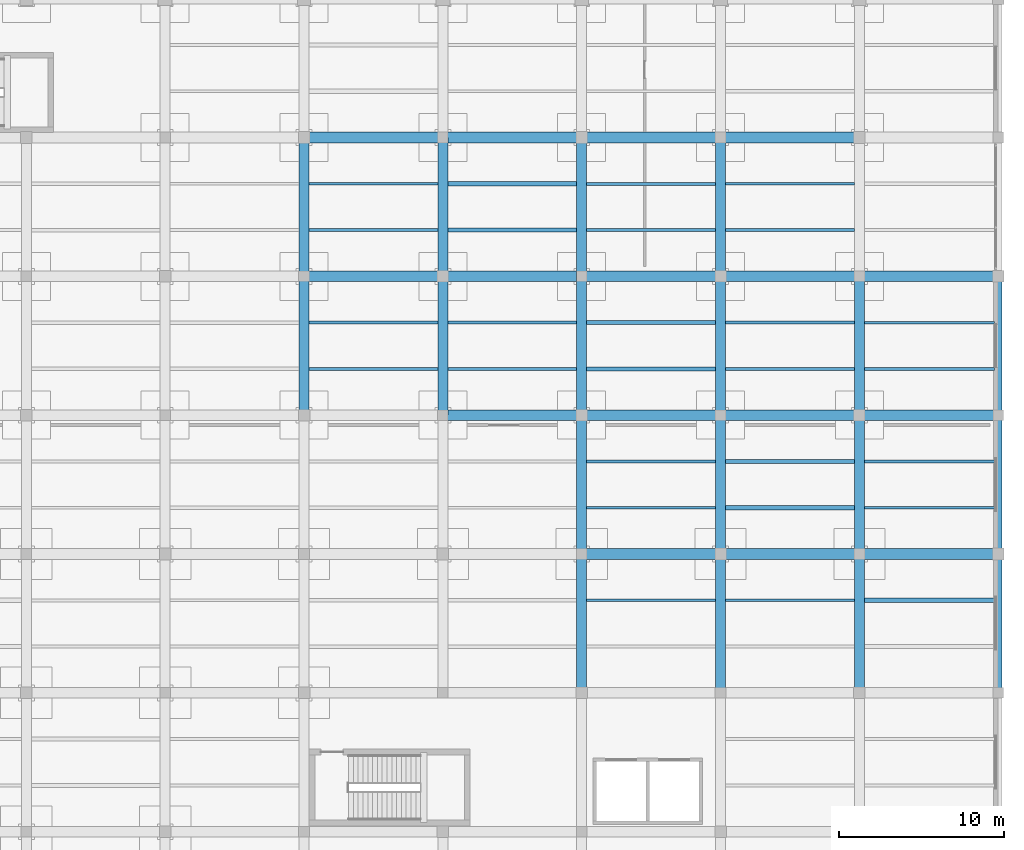
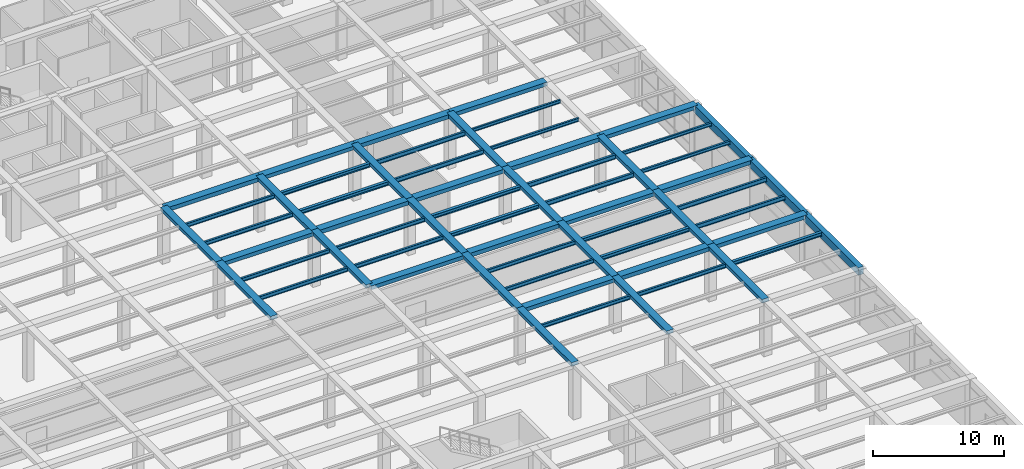
# One storey, part 53 of 95: 61 beams.
"""IFC4 building model written with IfcOpenShell, lengths in metres."""

from ifc_helpers import new_model, si_unit, direction, frame, origin, origin_2d, place, context, subcontext, project, spatial, rectangle, i_section, extrude, material, material_profile, profile_set, type_object, element, save


model = new_model("IFC4")

# Units and contexts
model_context = context("Model", 3, precision=1e-05, world=origin(), true_north=direction((0.0, 1.0)))
body_context = subcontext(model_context, "Body", "Model", "MODEL_VIEW")
ifc_project = project(units=[si_unit("LENGTHUNIT", "METRE"), si_unit("AREAUNIT", "SQUARE_METRE"), si_unit("VOLUMEUNIT", "CUBIC_METRE"), si_unit("PLANEANGLEUNIT", "RADIAN"), si_unit("MASSUNIT", "GRAM", prefix="KILO")], contexts=[model_context])

# Site, building, storey
site_placement = place(None, origin())
site = spatial("IfcSite", under=ifc_project, at=site_placement, CompositionType="ELEMENT")
building_placement = place(site_placement, origin())
building = spatial("IfcBuilding", under=site, at=building_placement, Name="Almacenes y Pasaje Nevantli", CompositionType="ELEMENT")
storey_placement = place(building_placement, frame((0.0, 0.0, 11.39990234375)))
storey = spatial("IfcBuildingStorey", under=building, at=storey_placement, Name="L03", CompositionType="ELEMENT", Elevation=11.39990234375)

# Beams
ifc_material_1 = material(Name="Concrete C35/45", Category="concrete")
ifc_material_profile_1 = material_profile(ifc_material_1, rectangle(XDim=0.449951171875, YDim=0.699951171875, at=origin_2d()), Name="RC-BM-450x700")
ifc_profile_set_1 = profile_set([ifc_material_profile_1], Name="Concrete C35/45")
beam_type_1 = type_object("IfcBeamType", Name="BM-RC-450x700", PredefinedType="SPANDREL", material=ifc_profile_set_1)
beam_1_placement = place(storey_placement, frame((168.0, 25.199951171875, 4.75), z_axis=(0.0, 1.0, 0.0), x_axis=(-1.0, 0.0, 0.0)))
element("IfcBeam", 1, at=beam_1_placement, inside=storey, type_object=beam_type_1, Name="L03 North-South Reinforced Concrete Beam #2705", PredefinedType="SPANDREL", context=body_context, shape_type="SweptSolid", body=[
    extrude(rectangle(XDim=0.449951171875, YDim=0.699951171875, at=origin_2d()), origin(), (0.0, 0.0, 1.0), 8.400146484375),
])
for number, where, z_axis, x_axis, name in (
    (2, (168.0, 33.60009765625, 4.75), (0.0, 1.0, 0.0), (-1.0, 0.0, 0.0), "L03 North-South Reinforced Concrete Beam #2706"),
    (3, (168.0, 42.0, 4.75), (0.0, 1.0, 0.0), (-1.0, 0.0, 0.0), "L03 North-South Reinforced Concrete Beam #2707"),
):
    element("IfcBeam", number, at=place(storey_placement, frame(where, z_axis=z_axis, x_axis=x_axis)), inside=storey, type_object=beam_type_1, Name=name, PredefinedType="SPANDREL", context=body_context, shape_type="SweptSolid", body=[
        extrude(rectangle(XDim=0.449951171875, YDim=0.699951171875, at=origin_2d()), origin(), (0.0, 0.0, 1.0), 8.39990234375),
    ])
ifc_material_2 = material(Name="Concrete C35/45", Category="concrete")
ifc_material_profile_2 = material_profile(ifc_material_2, rectangle(XDim=0.60009765625, YDim=0.320068359375, at=origin_2d()), Name="RC-BM-600x320")
ifc_profile_set_2 = profile_set([ifc_material_profile_2], Name="Concrete C35/45")
beam_type_2 = type_object("IfcBeamType", Name="BM-RC-600x320", PredefinedType="BEAM", material=ifc_profile_set_2)
beam_2_placement = place(storey_placement, frame((126.0, 50.39990234375, 4.940185546875), z_axis=(0.0, 1.0, 0.0), x_axis=(-1.0, 0.0, 0.0)))
element("IfcBeam", 4, at=beam_2_placement, inside=storey, type_object=beam_type_2, Name="L03 North-South Reinforced Concrete Beam #2642", PredefinedType="BEAM", context=body_context, shape_type="SweptSolid", body=[
    extrude(rectangle(XDim=0.60009765625, YDim=0.320068359375, at=origin_2d()), origin(), (0.0, 0.0, 1.0), 8.400146484375),
])
for number, where, z_axis, x_axis, name in (
    (5, (134.39990234375, 42.0, 4.940185546875), (0.0, 1.0, 0.0), (-1.0, 0.0, 0.0), "L03 North-South Reinforced Concrete Beam #2653"),
    (6, (142.800048828125, 33.60009765625, 4.940185546875), (0.0, 1.0, 0.0), (-1.0, 0.0, 0.0), "L03 North-South Reinforced Concrete Beam #2665"),
):
    element("IfcBeam", number, at=place(storey_placement, frame(where, z_axis=z_axis, x_axis=x_axis)), inside=storey, type_object=beam_type_2, Name=name, PredefinedType="BEAM", context=body_context, shape_type="SweptSolid", body=[
        extrude(rectangle(XDim=0.60009765625, YDim=0.320068359375, at=origin_2d()), origin(), (0.0, 0.0, 1.0), 8.39990234375),
    ])
for number, where, z_axis, x_axis, name in (
    (7, (142.800048828125, 50.39990234375, 4.940185546875), (0.0, 1.0, 0.0), (-1.0, 0.0, 0.0), "L03 North-South Reinforced Concrete Beam #2667"),
    (8, (151.199951171875, 25.199951171875, 4.940185546875), (0.0, 1.0, 0.0), (-1.0, 0.0, 0.0), "L03 North-South Reinforced Concrete Beam #2678"),
):
    element("IfcBeam", number, at=place(storey_placement, frame(where, z_axis=z_axis, x_axis=x_axis)), inside=storey, type_object=beam_type_2, Name=name, PredefinedType="BEAM", context=body_context, shape_type="SweptSolid", body=[
        extrude(rectangle(XDim=0.60009765625, YDim=0.320068359375, at=origin_2d()), origin(), (0.0, 0.0, 1.0), 8.400146484375),
    ])
for number, where, z_axis, x_axis, name in (
    (9, (151.199951171875, 42.0, 4.940185546875), (0.0, 1.0, 0.0), (-1.0, 0.0, 0.0), "L03 North-South Reinforced Concrete Beam #2680"),
    (10, (159.60009765625, 33.60009765625, 4.940185546875), (0.0, 1.0, 0.0), (-1.0, 0.0, 0.0), "L03 North-South Reinforced Concrete Beam #2692"),
):
    element("IfcBeam", number, at=place(storey_placement, frame(where, z_axis=z_axis, x_axis=x_axis)), inside=storey, type_object=beam_type_2, Name=name, PredefinedType="BEAM", context=body_context, shape_type="SweptSolid", body=[
        extrude(rectangle(XDim=0.60009765625, YDim=0.320068359375, at=origin_2d()), origin(), (0.0, 0.0, 1.0), 8.39990234375),
    ])
ifc_material_3 = material(Name="Concrete C35/45", Category="concrete")
ifc_material_profile_3 = material_profile(ifc_material_3, rectangle(XDim=0.60009765625, YDim=0.340087890625, at=origin_2d()), Name="RC-BM-600x340")
ifc_profile_set_3 = profile_set([ifc_material_profile_3], Name="Concrete C35/45")
beam_type_3 = type_object("IfcBeamType", Name="BM-RC-600x340", PredefinedType="BEAM", material=ifc_profile_set_3)
beam_3_placement = place(storey_placement, frame((126.0, 42.0, 4.93017578125), z_axis=(0.0, 1.0, 0.0), x_axis=(-1.0, 0.0, 0.0)))
element("IfcBeam", 11, at=beam_3_placement, inside=storey, type_object=beam_type_3, Name="L03 North-South Reinforced Concrete Beam #2641", PredefinedType="BEAM", context=body_context, shape_type="SweptSolid", body=[
    extrude(rectangle(XDim=0.60009765625, YDim=0.340087890625, at=origin_2d()), origin(), (0.0, 0.0, 1.0), 8.39990234375),
])
for number, where, z_axis, x_axis, name in (
    (12, (134.39990234375, 50.39990234375, 4.93017578125), (0.0, 1.0, 0.0), (-1.0, 0.0, 0.0), "L03 North-South Reinforced Concrete Beam #2654"),
    (13, (142.800048828125, 25.199951171875, 4.93017578125), (0.0, 1.0, 0.0), (-1.0, 0.0, 0.0), "L03 North-South Reinforced Concrete Beam #2664"),
):
    element("IfcBeam", number, at=place(storey_placement, frame(where, z_axis=z_axis, x_axis=x_axis)), inside=storey, type_object=beam_type_3, Name=name, PredefinedType="BEAM", context=body_context, shape_type="SweptSolid", body=[
        extrude(rectangle(XDim=0.60009765625, YDim=0.340087890625, at=origin_2d()), origin(), (0.0, 0.0, 1.0), 8.400146484375),
    ])
for number, where, z_axis, x_axis, name in (
    (14, (142.800048828125, 42.0, 4.93017578125), (0.0, 1.0, 0.0), (-1.0, 0.0, 0.0), "L03 North-South Reinforced Concrete Beam #2666"),
    (15, (151.199951171875, 33.60009765625, 4.93017578125), (0.0, 1.0, 0.0), (-1.0, 0.0, 0.0), "L03 North-South Reinforced Concrete Beam #2679"),
):
    element("IfcBeam", number, at=place(storey_placement, frame(where, z_axis=z_axis, x_axis=x_axis)), inside=storey, type_object=beam_type_3, Name=name, PredefinedType="BEAM", context=body_context, shape_type="SweptSolid", body=[
        extrude(rectangle(XDim=0.60009765625, YDim=0.340087890625, at=origin_2d()), origin(), (0.0, 0.0, 1.0), 8.39990234375),
    ])
for number, where, z_axis, x_axis, name in (
    (16, (151.199951171875, 50.39990234375, 4.93017578125), (0.0, 1.0, 0.0), (-1.0, 0.0, 0.0), "L03 North-South Reinforced Concrete Beam #2681"),
    (17, (159.60009765625, 25.199951171875, 4.93017578125), (0.0, 1.0, 0.0), (-1.0, 0.0, 0.0), "L03 North-South Reinforced Concrete Beam #2691"),
):
    element("IfcBeam", number, at=place(storey_placement, frame(where, z_axis=z_axis, x_axis=x_axis)), inside=storey, type_object=beam_type_3, Name=name, PredefinedType="BEAM", context=body_context, shape_type="SweptSolid", body=[
        extrude(rectangle(XDim=0.60009765625, YDim=0.340087890625, at=origin_2d()), origin(), (0.0, 0.0, 1.0), 8.400146484375),
    ])
beam_4_placement = place(storey_placement, frame((159.60009765625, 42.0, 4.93017578125), z_axis=(0.0, 1.0, 0.0), x_axis=(-1.0, 0.0, 0.0)))
element("IfcBeam", 18, at=beam_4_placement, inside=storey, type_object=beam_type_3, Name="L03 North-South Reinforced Concrete Beam #2693", PredefinedType="BEAM", context=body_context, shape_type="SweptSolid", body=[
    extrude(rectangle(XDim=0.60009765625, YDim=0.340087890625, at=origin_2d()), origin(), (0.0, 0.0, 1.0), 8.39990234375),
])
ifc_material_4 = material(Name="Concrete C35/45", Category="concrete")
ifc_material_profile_4 = material_profile(ifc_material_4, rectangle(XDim=0.64990234375, YDim=0.35009765625, at=origin_2d()), Name="RC-BM-650x350")
ifc_profile_set_4 = profile_set([ifc_material_profile_4], Name="Concrete C35/45")
beam_type_4 = type_object("IfcBeamType", Name="BM-RC-650x350", PredefinedType="BEAM", material=ifc_profile_set_4)
for number, where, z_axis, x_axis, name in (
    (19, (142.800048828125, 33.60009765625, 4.925048828125), (1.0, 0.0, 0.0), (0.0, 1.0, 0.0), "L03 East-West Reinforced Concrete Beam #2313"),
    (20, (159.60009765625, 33.60009765625, 4.925048828125), (1.0, 0.0, 0.0), (0.0, 1.0, 0.0), "L03 East-West Reinforced Concrete Beam #2315"),
):
    element("IfcBeam", number, at=place(storey_placement, frame(where, z_axis=z_axis, x_axis=x_axis)), inside=storey, type_object=beam_type_4, Name=name, PredefinedType="BEAM", context=body_context, shape_type="SweptSolid", body=[
        extrude(rectangle(XDim=0.64990234375, YDim=0.35009765625, at=origin_2d()), origin(), (0.0, 0.0, 1.0), 8.39990234375),
    ])
for number, where, z_axis, x_axis, name in (
    (21, (134.39990234375, 42.0, 4.925048828125), (1.0, 0.0, 0.0), (0.0, 1.0, 0.0), "L03 East-West Reinforced Concrete Beam #2329"),
    (22, (151.199951171875, 42.0, 4.925048828125), (1.0, 0.0, 0.0), (0.0, 1.0, 0.0), "L03 East-West Reinforced Concrete Beam #2331"),
):
    element("IfcBeam", number, at=place(storey_placement, frame(where, z_axis=z_axis, x_axis=x_axis)), inside=storey, type_object=beam_type_4, Name=name, PredefinedType="BEAM", context=body_context, shape_type="SweptSolid", body=[
        extrude(rectangle(XDim=0.64990234375, YDim=0.35009765625, at=origin_2d()), origin(), (0.0, 0.0, 1.0), 8.400146484375),
    ])
for number, where, z_axis, x_axis, name in (
    (23, (126.0, 50.39990234375, 4.925048828125), (1.0, 0.0, 0.0), (0.0, 1.0, 0.0), "L03 East-West Reinforced Concrete Beam #2342"),
    (24, (142.800048828125, 50.39990234375, 4.925048828125), (1.0, 0.0, 0.0), (0.0, 1.0, 0.0), "L03 East-West Reinforced Concrete Beam #2344"),
    (25, (159.60009765625, 50.39990234375, 4.925048828125), (1.0, 0.0, 0.0), (0.0, 1.0, 0.0), "L03 East-West Reinforced Concrete Beam #2346"),
):
    element("IfcBeam", number, at=place(storey_placement, frame(where, z_axis=z_axis, x_axis=x_axis)), inside=storey, type_object=beam_type_4, Name=name, PredefinedType="BEAM", context=body_context, shape_type="SweptSolid", body=[
        extrude(rectangle(XDim=0.64990234375, YDim=0.35009765625, at=origin_2d()), origin(), (0.0, 0.0, 1.0), 8.39990234375),
    ])
for number, where, z_axis, x_axis, name in (
    (26, (134.39990234375, 58.800048828125, 4.925048828125), (1.0, 0.0, 0.0), (0.0, 1.0, 0.0), "L03 East-West Reinforced Concrete Beam #2357"),
    (27, (151.199951171875, 58.800048828125, 4.925048828125), (1.0, 0.0, 0.0), (0.0, 1.0, 0.0), "L03 East-West Reinforced Concrete Beam #2359"),
):
    element("IfcBeam", number, at=place(storey_placement, frame(where, z_axis=z_axis, x_axis=x_axis)), inside=storey, type_object=beam_type_4, Name=name, PredefinedType="BEAM", context=body_context, shape_type="SweptSolid", body=[
        extrude(rectangle(XDim=0.64990234375, YDim=0.35009765625, at=origin_2d()), origin(), (0.0, 0.0, 1.0), 8.400146484375),
    ])
ifc_material_5 = material(Name="Concrete C35/45", Category="concrete")
ifc_material_profile_5 = material_profile(ifc_material_5, rectangle(XDim=0.64990234375, YDim=0.3798828125, at=origin_2d()), Name="RC-BM-650x380")
ifc_profile_set_5 = profile_set([ifc_material_profile_5], Name="Concrete C35/45")
beam_type_5 = type_object("IfcBeamType", Name="BM-RC-650x380", PredefinedType="BEAM", material=ifc_profile_set_5)
beam_5_placement = place(storey_placement, frame((151.199951171875, 33.60009765625, 4.91015625), z_axis=(1.0, 0.0, 0.0), x_axis=(0.0, 1.0, 0.0)))
element("IfcBeam", 28, at=beam_5_placement, inside=storey, type_object=beam_type_5, Name="L03 East-West Reinforced Concrete Beam #2314", PredefinedType="BEAM", context=body_context, shape_type="SweptSolid", body=[
    extrude(rectangle(XDim=0.64990234375, YDim=0.3798828125, at=origin_2d()), origin(), (0.0, 0.0, 1.0), 8.400146484375),
])
for number, where, z_axis, x_axis, name in (
    (29, (142.800048828125, 42.0, 4.91015625), (1.0, 0.0, 0.0), (0.0, 1.0, 0.0), "L03 East-West Reinforced Concrete Beam #2330"),
    (30, (159.60009765625, 42.0, 4.91015625), (1.0, 0.0, 0.0), (0.0, 1.0, 0.0), "L03 East-West Reinforced Concrete Beam #2332"),
):
    element("IfcBeam", number, at=place(storey_placement, frame(where, z_axis=z_axis, x_axis=x_axis)), inside=storey, type_object=beam_type_5, Name=name, PredefinedType="BEAM", context=body_context, shape_type="SweptSolid", body=[
        extrude(rectangle(XDim=0.64990234375, YDim=0.3798828125, at=origin_2d()), origin(), (0.0, 0.0, 1.0), 8.39990234375),
    ])
for number, where, z_axis, x_axis, name in (
    (31, (134.39990234375, 50.39990234375, 4.91015625), (1.0, 0.0, 0.0), (0.0, 1.0, 0.0), "L03 East-West Reinforced Concrete Beam #2343"),
    (32, (151.199951171875, 50.39990234375, 4.91015625), (1.0, 0.0, 0.0), (0.0, 1.0, 0.0), "L03 East-West Reinforced Concrete Beam #2345"),
):
    element("IfcBeam", number, at=place(storey_placement, frame(where, z_axis=z_axis, x_axis=x_axis)), inside=storey, type_object=beam_type_5, Name=name, PredefinedType="BEAM", context=body_context, shape_type="SweptSolid", body=[
        extrude(rectangle(XDim=0.64990234375, YDim=0.3798828125, at=origin_2d()), origin(), (0.0, 0.0, 1.0), 8.400146484375),
    ])
for number, where, z_axis, x_axis, name in (
    (33, (126.0, 58.800048828125, 4.91015625), (1.0, 0.0, 0.0), (0.0, 1.0, 0.0), "L03 East-West Reinforced Concrete Beam #2356"),
    (34, (142.800048828125, 58.800048828125, 4.91015625), (1.0, 0.0, 0.0), (0.0, 1.0, 0.0), "L03 East-West Reinforced Concrete Beam #2358"),
):
    element("IfcBeam", number, at=place(storey_placement, frame(where, z_axis=z_axis, x_axis=x_axis)), inside=storey, type_object=beam_type_5, Name=name, PredefinedType="BEAM", context=body_context, shape_type="SweptSolid", body=[
        extrude(rectangle(XDim=0.64990234375, YDim=0.3798828125, at=origin_2d()), origin(), (0.0, 0.0, 1.0), 8.39990234375),
    ])
ifc_material_6 = material(Name="Steel ASTM A992", Category="steel")
ifc_material_profile_6 = material_profile(ifc_material_6, i_section(OverallWidth=0.1650390625, OverallDepth=0.306884765625, WebThickness=0.006591796875, FlangeThickness=0.01025390625, at=origin_2d()), Name="IR 305x44.6")
ifc_profile_set_6 = profile_set([ifc_material_profile_6], Name="Steel ASTM A992")
beam_type_6 = type_object("IfcBeamType", Name="BM-STL-IR-305x44p6", PredefinedType="JOIST", material=ifc_profile_set_6)
for number, where, z_axis, x_axis, name in (
    (35, (151.5, 53.199951171875, 4.9384765625), (1.0, 0.0, 0.0), (0.0, 1.0, 0.0), "L03 Secondary Steel Floor Joist #973"),
    (36, (151.5, 56.0, 4.9384765625), (1.0, 0.0, 0.0), (0.0, 1.0, 0.0), "L03 Secondary Steel Floor Joist #974"),
):
    element("IfcBeam", number, at=place(storey_placement, frame(where, z_axis=z_axis, x_axis=x_axis)), inside=storey, type_object=beam_type_6, Name=name, PredefinedType="JOIST", context=body_context, shape_type="SweptSolid", body=[
        extrude(i_section(OverallWidth=0.1650390625, OverallDepth=0.306884765625, WebThickness=0.006591796875, FlangeThickness=0.01025390625, at=origin_2d()), origin(), (0.0, 0.0, 1.0), 7.800048828125),
    ])
for number, where, z_axis, x_axis, name in (
    (37, (159.89990234375, 44.800048828125, 4.9384765625), (1.0, 0.0, 0.0), (0.0, 1.0, 0.0), "L03 Secondary Steel Floor Joist #997"),
    (38, (159.89990234375, 47.60009765625, 4.9384765625), (1.0, 0.0, 0.0), (0.0, 1.0, 0.0), "L03 Secondary Steel Floor Joist #998"),
):
    element("IfcBeam", number, at=place(storey_placement, frame(where, z_axis=z_axis, x_axis=x_axis)), inside=storey, type_object=beam_type_6, Name=name, PredefinedType="JOIST", context=body_context, shape_type="SweptSolid", body=[
        extrude(i_section(OverallWidth=0.1650390625, OverallDepth=0.306884765625, WebThickness=0.006591796875, FlangeThickness=0.01025390625, at=origin_2d()), origin(), (0.0, 0.0, 1.0), 7.875),
    ])
ifc_material_7 = material(Name="Steel ASTM A992", Category="steel")
ifc_material_profile_7 = material_profile(ifc_material_7, i_section(OverallWidth=0.173095703125, OverallDepth=0.35302734375, WebThickness=0.0078125, FlangeThickness=0.01318359375, at=origin_2d()), Name="IR 356x56.6")
ifc_profile_set_7 = profile_set([ifc_material_profile_7], Name="Steel ASTM A992")
beam_type_7 = type_object("IfcBeamType", Name="BM-STL-IR-356x56p6", PredefinedType="JOIST", material=ifc_profile_set_7)
for number, where, z_axis, x_axis, name in (
    (39, (126.300048828125, 44.800048828125, 4.91552734375), (1.0, 0.0, 0.0), (0.0, 1.0, 0.0), "L03 Secondary Steel Floor Joist #903"),
    (40, (126.300048828125, 47.60009765625, 4.91552734375), (1.0, 0.0, 0.0), (0.0, 1.0, 0.0), "L03 Secondary Steel Floor Joist #904"),
):
    element("IfcBeam", number, at=place(storey_placement, frame(where, z_axis=z_axis, x_axis=x_axis)), inside=storey, type_object=beam_type_7, Name=name, PredefinedType="JOIST", context=body_context, shape_type="SweptSolid", body=[
        extrude(i_section(OverallWidth=0.173095703125, OverallDepth=0.35302734375, WebThickness=0.0078125, FlangeThickness=0.01318359375, at=origin_2d()), origin(), (0.0, 0.0, 1.0), 7.800048828125),
    ])
beam_6_placement = place(storey_placement, frame((143.10009765625, 30.800048828125, 4.91552734375), z_axis=(1.0, 0.0, 0.0), x_axis=(0.0, 1.0, 0.0)))
element("IfcBeam", 41, at=beam_6_placement, inside=storey, type_object=beam_type_7, Name="L03 Secondary Steel Floor Joist #942", PredefinedType="JOIST", context=body_context, shape_type="SweptSolid", body=[
    extrude(i_section(OverallWidth=0.173095703125, OverallDepth=0.35302734375, WebThickness=0.0078125, FlangeThickness=0.01318359375, at=origin_2d()), origin(), (0.0, 0.0, 1.0), 7.7998046875),
])
ifc_material_8 = material(Name="Steel ASTM A992", Category="steel")
ifc_material_profile_8 = material_profile(ifc_material_8, i_section(OverallWidth=0.173095703125, OverallDepth=0.364013671875, WebThickness=0.009033203125, FlangeThickness=0.015625, at=origin_2d()), Name="IR 356x67.0")
ifc_profile_set_8 = profile_set([ifc_material_profile_8], Name="Steel ASTM A992")
beam_type_8 = type_object("IfcBeamType", Name="BM-STL-IR-356x67p0", PredefinedType="JOIST", material=ifc_profile_set_8)
for number, where, z_axis, x_axis, name in (
    (42, (126.300048828125, 53.199951171875, 4.91015625), (1.0, 0.0, 0.0), (0.0, 1.0, 0.0), "L03 Secondary Steel Floor Joist #905"),
    (43, (126.300048828125, 56.0, 4.91015625), (1.0, 0.0, 0.0), (0.0, 1.0, 0.0), "L03 Secondary Steel Floor Joist #906"),
    (44, (134.699951171875, 44.800048828125, 4.91015625), (1.0, 0.0, 0.0), (0.0, 1.0, 0.0), "L03 Secondary Steel Floor Joist #923"),
    (45, (134.699951171875, 47.60009765625, 4.91015625), (1.0, 0.0, 0.0), (0.0, 1.0, 0.0), "L03 Secondary Steel Floor Joist #924"),
):
    element("IfcBeam", number, at=place(storey_placement, frame(where, z_axis=z_axis, x_axis=x_axis)), inside=storey, type_object=beam_type_8, Name=name, PredefinedType="JOIST", context=body_context, shape_type="SweptSolid", body=[
        extrude(i_section(OverallWidth=0.173095703125, OverallDepth=0.364013671875, WebThickness=0.009033203125, FlangeThickness=0.015625, at=origin_2d()), origin(), (0.0, 0.0, 1.0), 7.800048828125),
    ])
for number, where, z_axis, x_axis, name in (
    (46, (143.10009765625, 36.39990234375, 4.91015625), (1.0, 0.0, 0.0), (0.0, 1.0, 0.0), "L03 Secondary Steel Floor Joist #943"),
    (47, (143.10009765625, 39.199951171875, 4.91015625), (1.0, 0.0, 0.0), (0.0, 1.0, 0.0), "L03 Secondary Steel Floor Joist #944"),
):
    element("IfcBeam", number, at=place(storey_placement, frame(where, z_axis=z_axis, x_axis=x_axis)), inside=storey, type_object=beam_type_8, Name=name, PredefinedType="JOIST", context=body_context, shape_type="SweptSolid", body=[
        extrude(i_section(OverallWidth=0.173095703125, OverallDepth=0.364013671875, WebThickness=0.009033203125, FlangeThickness=0.015625, at=origin_2d()), origin(), (0.0, 0.0, 1.0), 7.7998046875),
    ])
beam_7_placement = place(storey_placement, frame((151.5, 30.800048828125, 4.91015625), z_axis=(1.0, 0.0, 0.0), x_axis=(0.0, 1.0, 0.0)))
element("IfcBeam", 48, at=beam_7_placement, inside=storey, type_object=beam_type_8, Name="L03 Secondary Steel Floor Joist #968", PredefinedType="JOIST", context=body_context, shape_type="SweptSolid", body=[
    extrude(i_section(OverallWidth=0.173095703125, OverallDepth=0.364013671875, WebThickness=0.009033203125, FlangeThickness=0.015625, at=origin_2d()), origin(), (0.0, 0.0, 1.0), 7.800048828125),
])
ifc_material_9 = material(Name="Steel ASTM A992", Category="steel")
ifc_material_profile_9 = material_profile(ifc_material_9, i_section(OverallWidth=0.25390625, OverallDepth=0.35595703125, WebThickness=0.009521484375, FlangeThickness=0.016357421875, at=origin_2d()), Name="IR 356x79.0")
ifc_profile_set_9 = profile_set([ifc_material_profile_9], Name="Steel ASTM A992")
beam_type_9 = type_object("IfcBeamType", Name="BM-STL-IR-356x79p0", PredefinedType="JOIST", material=ifc_profile_set_9)
for number, where, z_axis, x_axis, name in (
    (49, (134.699951171875, 53.199951171875, 4.9140625), (1.0, 0.0, 0.0), (0.0, 1.0, 0.0), "L03 Secondary Steel Floor Joist #925"),
    (50, (134.699951171875, 56.0, 4.9140625), (1.0, 0.0, 0.0), (0.0, 1.0, 0.0), "L03 Secondary Steel Floor Joist #926"),
):
    element("IfcBeam", number, at=place(storey_placement, frame(where, z_axis=z_axis, x_axis=x_axis)), inside=storey, type_object=beam_type_9, Name=name, PredefinedType="JOIST", context=body_context, shape_type="SweptSolid", body=[
        extrude(i_section(OverallWidth=0.25390625, OverallDepth=0.35595703125, WebThickness=0.009521484375, FlangeThickness=0.016357421875, at=origin_2d()), origin(), (0.0, 0.0, 1.0), 7.800048828125),
    ])
for number, where, z_axis, x_axis, name in (
    (51, (143.10009765625, 44.800048828125, 4.9140625), (1.0, 0.0, 0.0), (0.0, 1.0, 0.0), "L03 Secondary Steel Floor Joist #945"),
    (52, (143.10009765625, 47.60009765625, 4.9140625), (1.0, 0.0, 0.0), (0.0, 1.0, 0.0), "L03 Secondary Steel Floor Joist #946"),
):
    element("IfcBeam", number, at=place(storey_placement, frame(where, z_axis=z_axis, x_axis=x_axis)), inside=storey, type_object=beam_type_9, Name=name, PredefinedType="JOIST", context=body_context, shape_type="SweptSolid", body=[
        extrude(i_section(OverallWidth=0.25390625, OverallDepth=0.35595703125, WebThickness=0.009521484375, FlangeThickness=0.016357421875, at=origin_2d()), origin(), (0.0, 0.0, 1.0), 7.7998046875),
    ])
for number, where, z_axis, x_axis, name in (
    (53, (151.5, 36.39990234375, 4.9140625), (1.0, 0.0, 0.0), (0.0, 1.0, 0.0), "L03 Secondary Steel Floor Joist #969"),
    (54, (151.5, 39.199951171875, 4.9140625), (1.0, 0.0, 0.0), (0.0, 1.0, 0.0), "L03 Secondary Steel Floor Joist #970"),
):
    element("IfcBeam", number, at=place(storey_placement, frame(where, z_axis=z_axis, x_axis=x_axis)), inside=storey, type_object=beam_type_9, Name=name, PredefinedType="JOIST", context=body_context, shape_type="SweptSolid", body=[
        extrude(i_section(OverallWidth=0.25390625, OverallDepth=0.35595703125, WebThickness=0.009521484375, FlangeThickness=0.016357421875, at=origin_2d()), origin(), (0.0, 0.0, 1.0), 7.800048828125),
    ])
beam_8_placement = place(storey_placement, frame((159.89990234375, 30.800048828125, 4.9140625), z_axis=(1.0, 0.0, 0.0), x_axis=(0.0, 1.0, 0.0)))
element("IfcBeam", 55, at=beam_8_placement, inside=storey, type_object=beam_type_9, Name="L03 Secondary Steel Floor Joist #994", PredefinedType="JOIST", context=body_context, shape_type="SweptSolid", body=[
    extrude(i_section(OverallWidth=0.25390625, OverallDepth=0.35595703125, WebThickness=0.009521484375, FlangeThickness=0.016357421875, at=origin_2d()), origin(), (0.0, 0.0, 1.0), 7.875),
])
ifc_material_10 = material(Name="Steel ASTM A992", Category="steel")
ifc_material_profile_10 = material_profile(ifc_material_10, i_section(OverallWidth=0.178955078125, OverallDepth=0.406005859375, WebThickness=0.0087890625, FlangeThickness=0.014404296875, at=origin_2d()), Name="IR 406x67.0")
ifc_profile_set_10 = profile_set([ifc_material_profile_10], Name="Steel ASTM A992")
beam_type_10 = type_object("IfcBeamType", Name="BM-STL-IR-406x67p0", PredefinedType="JOIST", material=ifc_profile_set_10)
for number, where, z_axis, x_axis, name in (
    (56, (143.10009765625, 53.199951171875, 4.88916015625), (1.0, 0.0, 0.0), (0.0, 1.0, 0.0), "L03 Secondary Steel Floor Joist #947"),
    (57, (143.10009765625, 56.0, 4.88916015625), (1.0, 0.0, 0.0), (0.0, 1.0, 0.0), "L03 Secondary Steel Floor Joist #948"),
):
    element("IfcBeam", number, at=place(storey_placement, frame(where, z_axis=z_axis, x_axis=x_axis)), inside=storey, type_object=beam_type_10, Name=name, PredefinedType="JOIST", context=body_context, shape_type="SweptSolid", body=[
        extrude(i_section(OverallWidth=0.178955078125, OverallDepth=0.406005859375, WebThickness=0.0087890625, FlangeThickness=0.014404296875, at=origin_2d()), origin(), (0.0, 0.0, 1.0), 7.7998046875),
    ])
for number, where, z_axis, x_axis, name in (
    (58, (151.5, 44.800048828125, 4.88916015625), (1.0, 0.0, 0.0), (0.0, 1.0, 0.0), "L03 Secondary Steel Floor Joist #971"),
    (59, (151.5, 47.60009765625, 4.88916015625), (1.0, 0.0, 0.0), (0.0, 1.0, 0.0), "L03 Secondary Steel Floor Joist #972"),
):
    element("IfcBeam", number, at=place(storey_placement, frame(where, z_axis=z_axis, x_axis=x_axis)), inside=storey, type_object=beam_type_10, Name=name, PredefinedType="JOIST", context=body_context, shape_type="SweptSolid", body=[
        extrude(i_section(OverallWidth=0.178955078125, OverallDepth=0.406005859375, WebThickness=0.0087890625, FlangeThickness=0.014404296875, at=origin_2d()), origin(), (0.0, 0.0, 1.0), 7.800048828125),
    ])
for number, where, z_axis, x_axis, name in (
    (60, (159.89990234375, 36.39990234375, 4.88916015625), (1.0, 0.0, 0.0), (0.0, 1.0, 0.0), "L03 Secondary Steel Floor Joist #995"),
    (61, (159.89990234375, 39.199951171875, 4.88916015625), (1.0, 0.0, 0.0), (0.0, 1.0, 0.0), "L03 Secondary Steel Floor Joist #996"),
):
    element("IfcBeam", number, at=place(storey_placement, frame(where, z_axis=z_axis, x_axis=x_axis)), inside=storey, type_object=beam_type_10, Name=name, PredefinedType="JOIST", context=body_context, shape_type="SweptSolid", body=[
        extrude(i_section(OverallWidth=0.178955078125, OverallDepth=0.406005859375, WebThickness=0.0087890625, FlangeThickness=0.014404296875, at=origin_2d()), origin(), (0.0, 0.0, 1.0), 7.875),
    ])

save(model, "model.ifc")
